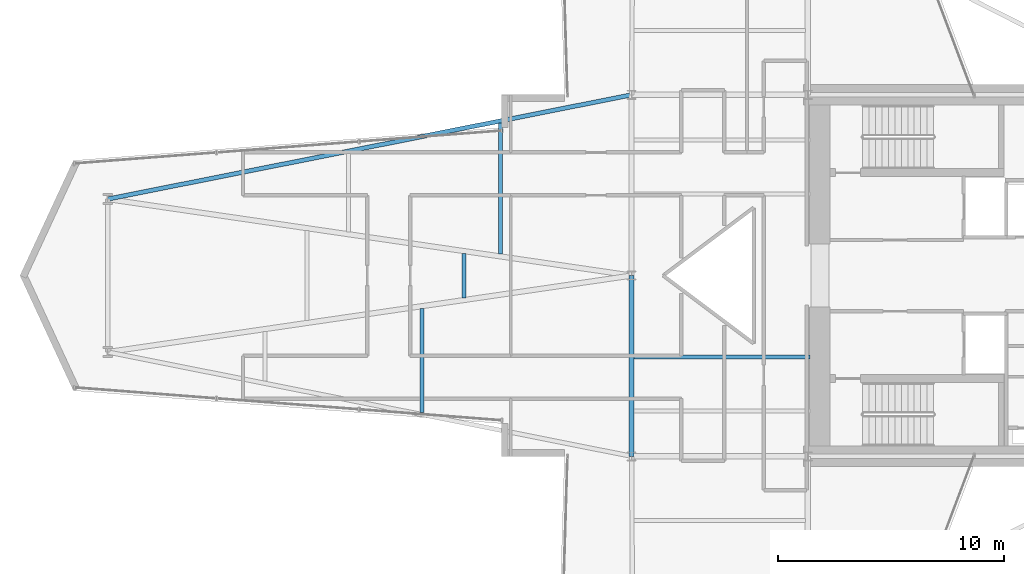
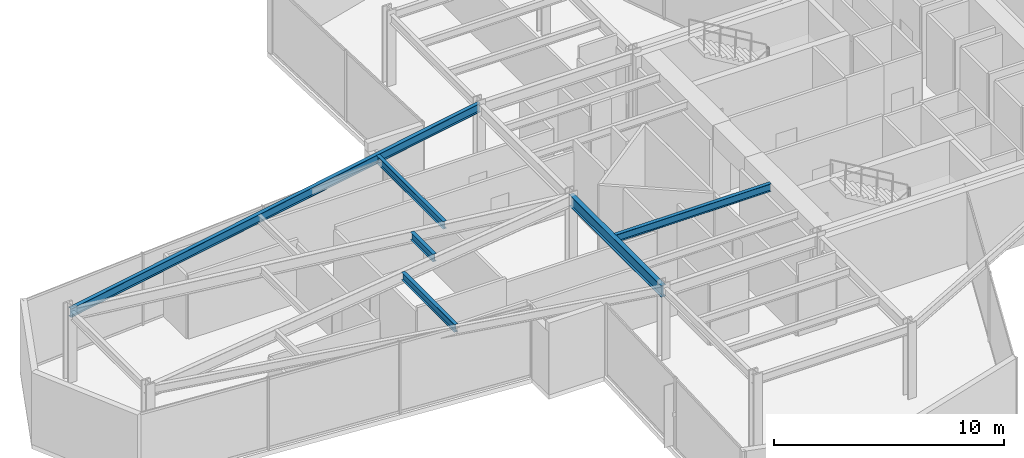
# One storey, part 11 of 29: 6 beams.
"""IFC4 building model written with IfcOpenShell, lengths in metres."""

from ifc_helpers import new_model, si_unit, direction, frame, origin, origin_2d, place, context, subcontext, project, spatial, i_section, extrude, material, material_profile, profile_set, type_object, element, save


model = new_model("IFC4")

# Units and contexts
model_context = context("Model", 3, precision=1e-05, world=origin(), true_north=direction((0.0, 1.0)))
body_context = subcontext(model_context, "Body", "Model", "MODEL_VIEW")
ifc_project = project(units=[si_unit("LENGTHUNIT", "METRE"), si_unit("AREAUNIT", "SQUARE_METRE"), si_unit("VOLUMEUNIT", "CUBIC_METRE"), si_unit("PLANEANGLEUNIT", "RADIAN"), si_unit("MASSUNIT", "GRAM", prefix="KILO")], contexts=[model_context])

# Site, building, storey
site_placement = place(None, origin())
site = spatial("IfcSite", under=ifc_project, at=site_placement, CompositionType="ELEMENT")
building_placement = place(site_placement, origin())
building = spatial("IfcBuilding", under=site, at=building_placement, Name="Veymaron Broadcast Tower", CompositionType="ELEMENT")
storey_placement = place(building_placement, frame((0.0, 0.0, 41.85009765625)))
storey = spatial("IfcBuildingStorey", under=building, at=storey_placement, Name="L08", CompositionType="ELEMENT", Elevation=41.85009765625)

# Beams
ifc_material = material(Name="Structural steel ASTM A992 Gr 50", Category="steel")
ifc_material_profile_1 = material_profile(ifc_material, i_section(OverallWidth=0.22998046875, OverallDepth=0.616943359375, WebThickness=0.01318359375, FlangeThickness=0.022216796875, at=origin_2d()), Name="W610X140")
ifc_profile_set_1 = profile_set([ifc_material_profile_1], Name="Structural steel ASTM A992 Gr 50")
beam_type_1 = type_object("IfcBeamType", Name="BM-FG1", PredefinedType="BEAM", material=ifc_profile_set_1)
beam_1_placement = place(storey_placement, frame((31.199951171875, 16.0, 3.50146484375), z_axis=(0.0, 1.0, 0.0), x_axis=(-1.0, 0.0, 0.0)))
element("IfcBeam", 1, at=beam_1_placement, inside=storey, type_object=beam_type_1, Name="L08 primary structural floor girder", PredefinedType="BEAM", context=body_context, shape_type="SweptSolid", body=[
    extrude(i_section(OverallWidth=0.22998046875, OverallDepth=0.616943359375, WebThickness=0.01318359375, FlangeThickness=0.022216796875, at=origin_2d()), origin(), (0.0, 0.0, 1.0), 8.0),
])
ifc_material_profile_2 = material_profile(ifc_material, i_section(OverallWidth=0.177978515625, OverallDepth=0.406982421875, WebThickness=0.0078125, FlangeThickness=0.0126953125, at=origin_2d()), Name="W410X60")
ifc_profile_set_2 = profile_set([ifc_material_profile_2], Name="Structural steel ASTM A992 Gr 50")
beam_type_2 = type_object("IfcBeamType", Name="BM-JS1", PredefinedType="JOIST", material=ifc_profile_set_2)
beam_2_placement = place(storey_placement, frame((21.9228515625, 17.946044921875, 3.6064453125), z_axis=(0.0, 1.0, 0.0), x_axis=(-1.0, 0.0, 0.0)))
element("IfcBeam", 2, at=beam_2_placement, inside=storey, type_object=beam_type_2, Name="L08 Arm-A secondary joist 2S", PredefinedType="JOIST", context=body_context, shape_type="SweptSolid", body=[
    extrude(i_section(OverallWidth=0.177978515625, OverallDepth=0.406982421875, WebThickness=0.0078125, FlangeThickness=0.0126953125, at=origin_2d()), origin(), (0.0, 0.0, 1.0), 4.599853515625),
])
beam_3_placement = place(storey_placement, frame((23.7783203125, 23.016845703125, 3.6064453125), z_axis=(0.0, 1.0, 0.0), x_axis=(-1.0, 0.0, 0.0)))
element("IfcBeam", 3, at=beam_3_placement, inside=storey, type_object=beam_type_2, Name="L08 Arm-A secondary joist 2M", PredefinedType="JOIST", context=body_context, shape_type="SweptSolid", body=[
    extrude(i_section(OverallWidth=0.177978515625, OverallDepth=0.406982421875, WebThickness=0.0078125, FlangeThickness=0.0126953125, at=origin_2d()), origin(), (0.0, 0.0, 1.0), 1.96630859375),
])
beam_4_placement = place(storey_placement, frame((25.401611328125, 24.9462890625, 3.6064453125), z_axis=(0.0, 1.0, 0.0), x_axis=(-1.0, 0.0, 0.0)))
element("IfcBeam", 4, at=beam_4_placement, inside=storey, type_object=beam_type_2, Name="L08 Arm-A secondary joist 2N", PredefinedType="JOIST", context=body_context, shape_type="SweptSolid", body=[
    extrude(i_section(OverallWidth=0.177978515625, OverallDepth=0.406982421875, WebThickness=0.0078125, FlangeThickness=0.0126953125, at=origin_2d()), origin(), (0.0, 0.0, 1.0), 5.7998046875),
])
beam_5_placement = place(storey_placement, frame((31.300048828125, 20.39990234375, 3.6064453125), z_axis=(1.0, 0.0, 0.0), x_axis=(0.0, 1.0, 0.0)))
element("IfcBeam", 5, at=beam_5_placement, inside=storey, type_object=beam_type_2, Name="L08 Hub secondary joist 2", PredefinedType="JOIST", context=body_context, shape_type="SweptSolid", body=[
    extrude(i_section(OverallWidth=0.177978515625, OverallDepth=0.406982421875, WebThickness=0.0078125, FlangeThickness=0.0126953125, at=origin_2d()), origin(), (0.0, 0.0, 1.0), 7.800048828125),
])
ifc_material_profile_3 = material_profile(ifc_material, i_section(OverallWidth=0.19091796875, OverallDepth=0.4599609375, WebThickness=0.010009765625, FlangeThickness=0.01611328125, at=origin_2d()), Name="W460X82")
ifc_profile_set_3 = profile_set([ifc_material_profile_3], Name="Structural steel ASTM A992 Gr 50")
beam_type_3 = type_object("IfcBeamType", Name="BM-SP1", PredefinedType="SPANDREL", material=ifc_profile_set_3)
beam_6_placement = place(storey_placement, frame((8.007080078125, 27.385009765625, 3.579833984375), z_axis=(0.980771997416, 0.195157088225, 0.0), x_axis=(-0.195157088225, 0.980771997416, 0.0)))
element("IfcBeam", 6, at=beam_6_placement, inside=storey, type_object=beam_type_3, Name="L08 primary structural floor girder", PredefinedType="SPANDREL", context=body_context, shape_type="SweptSolid", body=[
    extrude(i_section(OverallWidth=0.19091796875, OverallDepth=0.4599609375, WebThickness=0.010009765625, FlangeThickness=0.01611328125, at=origin_2d()), origin(), (0.0, 0.0, 1.0), 23.6474609375),
])

save(model, "model.ifc")
